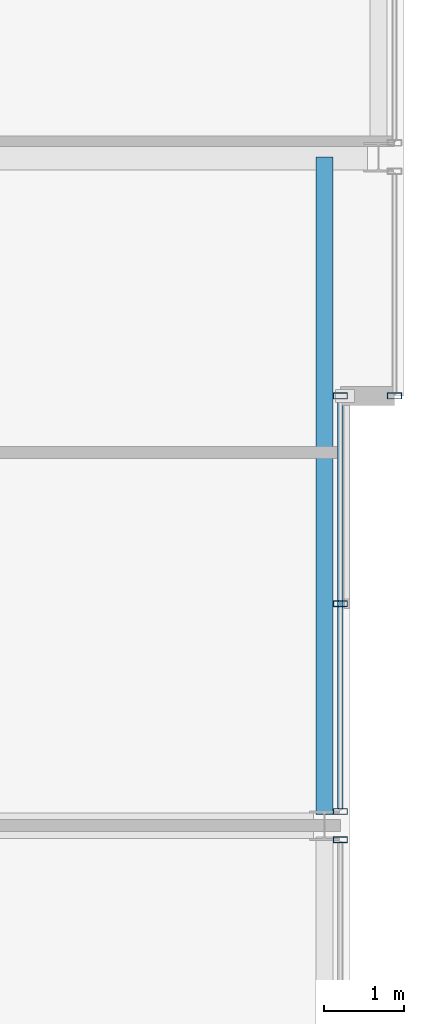
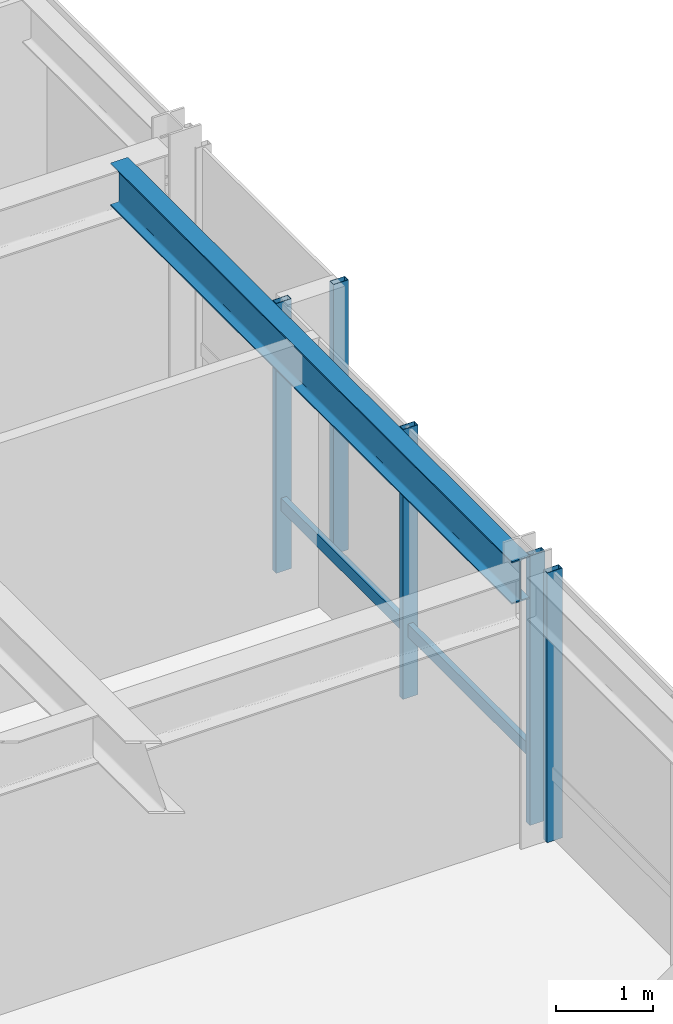
# One storey, part 15 of 32: 6 members, 1 beam, 3 elements without a shape of their own.
"""IFC4 building model written with IfcOpenShell, lengths in metres."""

import ifcopenshell
import ifcopenshell.guid

model = None  # the IFC model being written
_history = None  # IfcOwnerHistory: only IFC2X3 demands one
_inside = {}  # id of a spatial element -> (the spatial element, [elements in it])
_under = {}  # id of a project, library or spatial element -> (it, [spatial elements below it])
_declared = {}  # id of a project -> (the project, [libraries it declares])
_typed = {}  # id of a type object -> (the type object, [elements of that type])
_made_of = {}  # id of a material, layer set ... -> (it, [elements and type objects made of it])


def new_model(schema):
    """Start an empty IFC model of exactly this schema.

    Asked for "IFC4X3", IfcOpenShell would pick the latest addendum, in which some entities
    have other attributes; the version numbers below select the first issue.
    IFC2X3 requires an IfcOwnerHistory on every rooted entity: one is made here for all.
    """
    global model, _history
    if schema == "IFC4X3":
        model = ifcopenshell.file(schema_version=(4, 3, 0, 0))
    else:
        model = ifcopenshell.file(schema=schema)
    _inside.clear()
    _under.clear()
    _declared.clear()
    _typed.clear()
    _made_of.clear()
    _history = None
    if model.schema == "IFC2X3":
        org = make("IfcOrganization", Name="unknown")
        user = make(
            "IfcPersonAndOrganization",
            ThePerson=make("IfcPerson", FamilyName="unknown"),
            TheOrganization=org,
        )
        app = make(
            "IfcApplication",
            ApplicationDeveloper=org,
            Version="unknown",
            ApplicationFullName="unknown",
            ApplicationIdentifier="unknown",
        )
        _history = make(
            "IfcOwnerHistory",
            OwningUser=user,
            OwningApplication=app,
            ChangeAction="ADDED",
            CreationDate=0,
        )
    return model


def make(cls, **values):
    """One entity of the class cls with the attributes given. An attribute that is None is left unset."""
    return model.create_entity(
        cls, **{name: value for name, value in values.items() if value is not None}
    )


def rooted(cls, **values):
    """An entity with a GlobalId (a new one), such as an element, a storey or a relation."""
    return make(cls, GlobalId=ifcopenshell.guid.new(), OwnerHistory=_history, **values)


def si_unit(unit_type, name, prefix=None):
    """IfcSIUnit, for example si_unit("LENGTHUNIT", "METRE", prefix="MILLI")."""
    return make("IfcSIUnit", UnitType=unit_type, Prefix=prefix, Name=name)


def assignment(units):
    """IfcUnitAssignment: the units of a project."""
    return None if units is None else make("IfcUnitAssignment", Units=units)


def point(xyz):
    """IfcCartesianPoint."""
    return None if xyz is None else make("IfcCartesianPoint", Coordinates=xyz)


def direction(xyz):
    """IfcDirection."""
    return None if xyz is None else make("IfcDirection", DirectionRatios=xyz)


def frame(location, z_axis=None, x_axis=None):
    """IfcAxis2Placement3D, a coordinate frame: its origin and axes. An axis left out is left unset."""
    return make(
        "IfcAxis2Placement3D",
        Location=point(location),
        Axis=direction(z_axis),
        RefDirection=direction(x_axis),
    )


def frame_2d(location, x_axis=None):
    """IfcAxis2Placement2D, a coordinate frame in the plane: its origin and x axis."""
    return make(
        "IfcAxis2Placement2D", Location=point(location), RefDirection=direction(x_axis)
    )


def origin():
    """The frame at (0, 0, 0) with its axes left unset."""
    return frame((0.0, 0.0, 0.0))


def origin_2d():
    """The frame at (0, 0) in the plane with its x axis left unset."""
    return frame_2d((0.0, 0.0))


def place(relative_to, where):
    """IfcLocalPlacement: puts the frame where relative to a parent placement (None: the world)."""
    return make(
        "IfcLocalPlacement", PlacementRelTo=relative_to, RelativePlacement=where
    )


def context(
    kind, dimensions, precision=None, world=None, true_north=None, identifier=None
):
    """IfcGeometricRepresentationContext, for example the 3D "Model" context."""
    return make(
        "IfcGeometricRepresentationContext",
        ContextIdentifier=identifier,
        ContextType=kind,
        CoordinateSpaceDimension=dimensions,
        Precision=precision,
        WorldCoordinateSystem=world,
        TrueNorth=true_north,
    )


def subcontext(parent, identifier, kind, view, scale=None):
    """IfcGeometricRepresentationSubContext, for example "Body" below "Model"."""
    return make(
        "IfcGeometricRepresentationSubContext",
        ContextIdentifier=identifier,
        ContextType=kind,
        ParentContext=parent,
        TargetScale=scale,
        TargetView=view,
    )


def project(units=None, contexts=None):
    """IfcProject with its units and contexts."""
    return rooted(
        "IfcProject",
        Name="project",
        RepresentationContexts=contexts,
        UnitsInContext=assignment(units),
    )


def spatial(cls, under=None, at=None, **own):
    """A site, building, storey or space (cls), placed at a placement, below another one or the project."""
    s = rooted(cls, ObjectPlacement=at, **own)
    if under is not None:
        _under.setdefault(under.id(), (under, []))[1].append(s)
    return s


def profile(cls, at=None, kind="AREA", **sizes):
    """A parametric profile (cls). Its sizes go by their IFC names, for example OverallWidth=200.0."""
    return make(cls, ProfileType=kind, Position=at, **sizes)


def hollow_rectangle(**sizes):
    """IfcRectangleHollowProfileDef."""
    return profile("IfcRectangleHollowProfileDef", **sizes)


def i_section(**sizes):
    """IfcIShapeProfileDef."""
    return profile("IfcIShapeProfileDef", **sizes)


def extrude(swept, where, along, depth):
    """IfcExtrudedAreaSolid: the profile swept, set in the frame where, extruded along a direction by depth."""
    return make(
        "IfcExtrudedAreaSolid",
        SweptArea=swept,
        Position=where,
        ExtrudedDirection=direction(along),
        Depth=depth,
    )


def shape(context_of_items, identifier, shape_type, items):
    """IfcShapeRepresentation: the items that make up one representation, for example the "Body"."""
    return make(
        "IfcShapeRepresentation",
        ContextOfItems=context_of_items,
        RepresentationIdentifier=identifier,
        RepresentationType=shape_type,
        Items=items,
    )


def material(Name=None, Category=None):
    """IfcMaterial."""
    return make("IfcMaterial", Name=Name, Category=Category)


def layer(
    of_material, thickness, ventilated=None, Name=None, Category=None, Priority=None
):
    """IfcMaterialLayer: one layer of a wall or slab, of a material (None: an air gap)."""
    return make(
        "IfcMaterialLayer",
        Material=of_material,
        LayerThickness=thickness,
        IsVentilated=ventilated,
        Name=Name,
        Category=Category,
        Priority=Priority,
    )


def layer_set(layers, Name=None):
    """IfcMaterialLayerSet."""
    return make("IfcMaterialLayerSet", MaterialLayers=layers, LayerSetName=Name)


def material_profile(
    of_material, cross_section, Name=None, Category=None, Priority=None
):
    """IfcMaterialProfile: a cross section and its material."""
    return make(
        "IfcMaterialProfile",
        Name=Name,
        Material=of_material,
        Profile=cross_section,
        Priority=Priority,
        Category=Category,
    )


def profile_set(profiles, Name=None, composite=None):
    """IfcMaterialProfileSet."""
    return make(
        "IfcMaterialProfileSet",
        Name=Name,
        MaterialProfiles=profiles,
        CompositeProfile=composite,
    )


def made_of(thing, what):
    """Note that an element or type object is made of a material, layer set ...; save() writes the relation."""
    if what is not None:
        _made_of.setdefault(what.id(), (what, []))[1].append(thing)
    return thing


def type_object(cls, material=None, **own):
    """A type object (cls), such as IfcWallType, which elements share."""
    return made_of(rooted(cls, **own), material)


def element(
    cls,
    number,
    at=None,
    inside=None,
    cuts=None,
    type_object=None,
    material=None,
    context=None,
    identifier="Body",
    shape_type=None,
    held_by="IfcProductDefinitionShape",
    body=None,
    shapes=None,
    **own,
):
    """One element of the class cls, such as IfcWall. Its Tag is "e" and its number.

    at: its placement. inside: the storey or other place that contains it. cuts: it is an
    opening in that element (IfcRelVoidsElement). A single representation is given by context,
    identifier, shape_type and body (its items); several are given by shapes. held_by: the class
    of the entity that holds the representations. save() writes the other relations.
    """
    e = rooted(cls, Tag="e%d" % number, ObjectPlacement=at, **own)
    if body is not None:
        shapes = [shape(context, identifier, shape_type, body)]
    if shapes is not None:
        e.Representation = make(held_by, Representations=shapes)
    if inside is not None:
        _inside.setdefault(inside.id(), (inside, []))[1].append(e)
    if cuts is not None:
        rooted(
            "IfcRelVoidsElement", RelatingBuildingElement=cuts, RelatedOpeningElement=e
        )
    if type_object is not None:
        _typed.setdefault(type_object.id(), (type_object, []))[1].append(e)
    return made_of(e, material)


def aggregate(whole, parts):
    """IfcRelAggregates: a whole, such as a stair, and the parts it consists of."""
    return rooted("IfcRelAggregates", RelatingObject=whole, RelatedObjects=parts)


def save(model, path):
    """Write the relations noted so far, then the file.

    IfcRelAggregates (storeys below a building ...), IfcRelContainedInSpatialStructure (elements
    in a storey), IfcRelDefinesByType, IfcRelAssociatesMaterial and IfcRelDeclares: one each for
    every whole, place, type object, material and project.
    """
    for whole, parts in _under.values():
        aggregate(whole, parts)
    for where, things in _inside.values():
        rooted(
            "IfcRelContainedInSpatialStructure",
            RelatedElements=things,
            RelatingStructure=where,
        )
    for kind, things in _typed.values():
        rooted("IfcRelDefinesByType", RelatedObjects=things, RelatingType=kind)
    for what, things in _made_of.values():
        rooted("IfcRelAssociatesMaterial", RelatedObjects=things, RelatingMaterial=what)
    for by, libraries in _declared.values():
        rooted("IfcRelDeclares", RelatingContext=by, RelatedDefinitions=libraries)
    model.write(path)


model = new_model("IFC4")

# Units and contexts
model_context = context("Model", 3, precision=1e-05, world=origin(), true_north=direction((0.0, 1.0)))
body_context = subcontext(model_context, "Body", "Model", "MODEL_VIEW")
ifc_project = project(units=[si_unit("LENGTHUNIT", "METRE"), si_unit("AREAUNIT", "SQUARE_METRE"), si_unit("VOLUMEUNIT", "CUBIC_METRE"), si_unit("PLANEANGLEUNIT", "RADIAN"), si_unit("MASSUNIT", "GRAM", prefix="KILO")], contexts=[model_context])

# Site, building, storey
site_placement = place(None, origin())
site = spatial("IfcSite", under=ifc_project, at=site_placement, CompositionType="ELEMENT")
building_placement = place(site_placement, origin())
building = spatial("IfcBuilding", under=site, at=building_placement, Name="Drelvath Grand Hotel", CompositionType="ELEMENT")
storey_placement = place(building_placement, frame((0.0, 0.0, 265.0)))
storey = spatial("IfcBuildingStorey", under=building, at=storey_placement, Name="L69", CompositionType="ELEMENT", Elevation=265.0)

# Curtain wall, member
ifc_material_1 = material(Name="Platinum-Mist Anodised Aluminium Frame", Category="aluminium")
ifc_layer = layer(ifc_material_1, 0.199951171875)
ifc_layer_set = layer_set([ifc_layer], Name="Platinum-Mist Anodised Aluminium Frame")
curtain_wall_type = type_object("IfcCurtainWallType", Name="Stick Curtain Wall CW-05 Platinum Mist High-Rise", PredefinedType="NOTDEFINED", material=ifc_layer_set)
curtain_wall_1_placement = place(storey_placement, origin())
curtain_wall_1 = element("IfcCurtainWall", 1, at=curtain_wall_1_placement, inside=storey, type_object=curtain_wall_type, Name="L69 CW-05 Curtain Wall CW05-L69-EM2", PredefinedType="NOTDEFINED")
ifc_material_profile_1 = material_profile(ifc_material_1, hollow_rectangle(XDim=0.06494140625, YDim=0.159912109375, WallThickness=0.00390625, at=origin_2d()), Name="HSS160X65X4")
ifc_profile_set_1 = profile_set([ifc_material_profile_1], Name="Platinum-Mist Anodised Aluminium Frame")
member_type_1 = type_object("IfcMemberType", Name="Curtain Wall Horizontal Transom CW-05 HSS160X65X4", PredefinedType="USERDEFINED", material=ifc_profile_set_1)
member_1_placement = place(storey_placement, frame((21.39990234375, 32.360107421875, 0.847412109375), z_axis=(0.0, -1.0, 0.0), x_axis=(1.0, 0.0, 0.0)))
member_1 = element("IfcMember", 2, at=member_1_placement, type_object=member_type_1, Name="CW05-L69-EM2 Sill Transom", ObjectType="TRANSOM", PredefinedType="USERDEFINED", context=body_context, shape_type="SweptSolid", body=[
    extrude(hollow_rectangle(XDim=0.06494140625, YDim=0.159912109375, WallThickness=0.00390625, at=origin_2d()), origin(), (0.0, 0.0, 1.0), 5.141845703125),
])

curtain_wall_2_placement = place(storey_placement, origin())
curtain_wall_2 = element("IfcCurtainWall", 3, at=curtain_wall_2_placement, inside=storey, type_object=curtain_wall_type, Name="L69 CW-05 Curtain Wall CW05-L69-EN1", PredefinedType="NOTDEFINED")
ifc_material_profile_2 = material_profile(ifc_material_1, hollow_rectangle(XDim=0.074951171875, YDim=0.179931640625, WallThickness=0.0048828125, at=origin_2d()), Name="HSS180X75X5")
ifc_profile_set_2 = profile_set([ifc_material_profile_2], Name="Platinum-Mist Anodised Aluminium Frame")
member_type_2 = type_object("IfcMemberType", Name="Curtain Wall Vertical Mullion CW-05 HSS180X75X5", PredefinedType="MULLION", material=ifc_profile_set_2)
member_2_placement = place(storey_placement, frame((22.080078125, 32.39990234375, 0.0), z_axis=(0.0, 0.0, 1.0), x_axis=(0.0, 1.0, 0.0)))
member_2 = element("IfcMember", 4, at=member_2_placement, type_object=member_type_2, Name="CW05-L69-EN1 Mullion 2", PredefinedType="MULLION", context=body_context, shape_type="SweptSolid", body=[
    extrude(hollow_rectangle(XDim=0.074951171875, YDim=0.179931640625, WallThickness=0.0048828125, at=origin_2d()), origin(), (0.0, 0.0, 1.0), 3.389892578125),
])
aggregate(curtain_wall_2, [member_2])

curtain_wall_3_placement = place(storey_placement, origin())
curtain_wall_3 = element("IfcCurtainWall", 5, at=curtain_wall_3_placement, inside=storey, type_object=curtain_wall_type, Name="L69 CW-05 Curtain Wall CW05-L69-EM1", PredefinedType="NOTDEFINED")
member_3_placement = place(storey_placement, frame((21.39990234375, 26.82177734375, 0.0), z_axis=(0.0, 0.0, 1.0), x_axis=(0.0, 1.0, 0.0)))
member_3 = element("IfcMember", 6, at=member_3_placement, type_object=member_type_2, Name="CW05-L69-EM1 Mullion 1", PredefinedType="MULLION", context=body_context, shape_type="SweptSolid", body=[
    extrude(hollow_rectangle(XDim=0.074951171875, YDim=0.179931640625, WallThickness=0.0048828125, at=origin_2d()), origin(), (0.0, 0.0, 1.0), 3.389892578125),
])
aggregate(curtain_wall_3, [member_3])

# Member
member_4_placement = place(storey_placement, frame((21.39990234375, 32.39990234375, 0.0), z_axis=(0.0, 0.0, 1.0), x_axis=(0.0, 1.0, 0.0)))
member_4 = element("IfcMember", 7, at=member_4_placement, type_object=member_type_2, Name="CW05-L69-EM2 Mullion 1", PredefinedType="MULLION", context=body_context, shape_type="SweptSolid", body=[
    extrude(hollow_rectangle(XDim=0.074951171875, YDim=0.179931640625, WallThickness=0.0048828125, at=origin_2d()), origin(), (0.0, 0.0, 1.0), 3.389892578125),
])

member_5_placement = place(storey_placement, frame((21.39990234375, 29.7890625, 0.0), z_axis=(0.0, 0.0, 1.0), x_axis=(0.0, 1.0, 0.0)))
member_5 = element("IfcMember", 8, at=member_5_placement, type_object=member_type_2, Name="CW05-L69-EM2 Mullion 2", PredefinedType="MULLION", context=body_context, shape_type="SweptSolid", body=[
    extrude(hollow_rectangle(XDim=0.074951171875, YDim=0.179931640625, WallThickness=0.0048828125, at=origin_2d()), origin(), (0.0, 0.0, 1.0), 3.389892578125),
])

member_6_placement = place(storey_placement, frame((21.39990234375, 27.17822265625, 0.0), z_axis=(0.0, 0.0, 1.0), x_axis=(0.0, 1.0, 0.0)))
member_6 = element("IfcMember", 9, at=member_6_placement, type_object=member_type_2, Name="CW05-L69-EM2 Mullion 3", PredefinedType="MULLION", context=body_context, shape_type="SweptSolid", body=[
    extrude(hollow_rectangle(XDim=0.074951171875, YDim=0.179931640625, WallThickness=0.0048828125, at=origin_2d()), origin(), (0.0, 0.0, 1.0), 3.389892578125),
])

aggregate(curtain_wall_1, [member_4, member_5, member_6, member_1])

# Beam
ifc_material_2 = material(Name="Steel ASTM A992 Gr 50", Category="steel")
ifc_material_profile_3 = material_profile(ifc_material_2, i_section(OverallWidth=0.210205078125, OverallDepth=0.53662109375, WebThickness=0.010986328125, FlangeThickness=0.017333984375, FilletRadius=0.01806640625, at=origin_2d()), Name="W21X68")
ifc_profile_set_3 = profile_set([ifc_material_profile_3], Name="Steel ASTM A992 Gr 50")
beam_type = type_object("IfcBeamType", Name="Perimeter Spandrel Beam W21X68", PredefinedType="SPANDREL", material=ifc_profile_set_3)
beam_placement = place(storey_placement, frame((21.199951171875, 27.139892578125, 3.12158203125), z_axis=(0.0, 1.0, 0.0), x_axis=(-1.0, 0.0, 0.0)))
element("IfcBeam", 10, at=beam_placement, inside=storey, type_object=beam_type, Name="L69 Spandrel East Mid N", PredefinedType="SPANDREL", context=body_context, shape_type="SweptSolid", body=[
    extrude(i_section(OverallWidth=0.210205078125, OverallDepth=0.53662109375, WebThickness=0.010986328125, FlangeThickness=0.017333984375, FilletRadius=0.01806640625, at=origin_2d()), origin(), (0.0, 0.0, 1.0), 8.260009765625),
])

save(model, "model.ifc")
